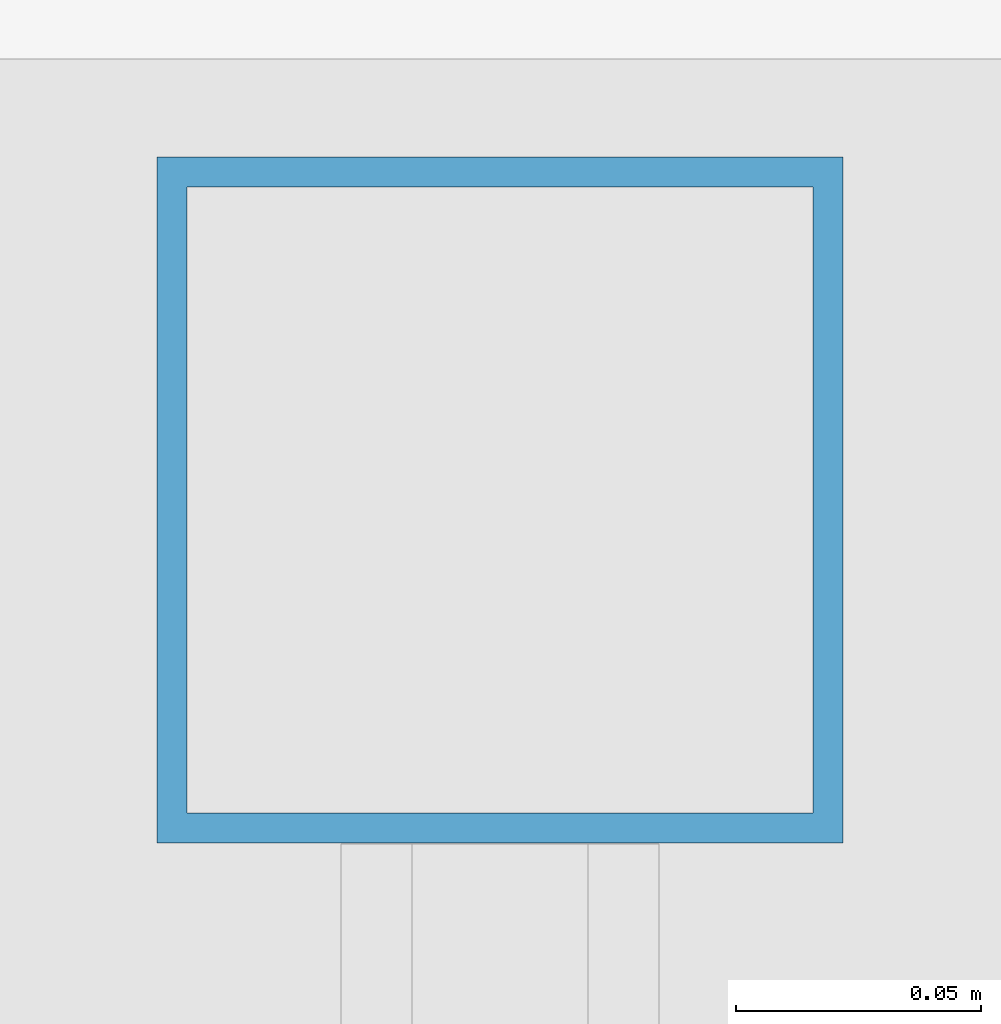
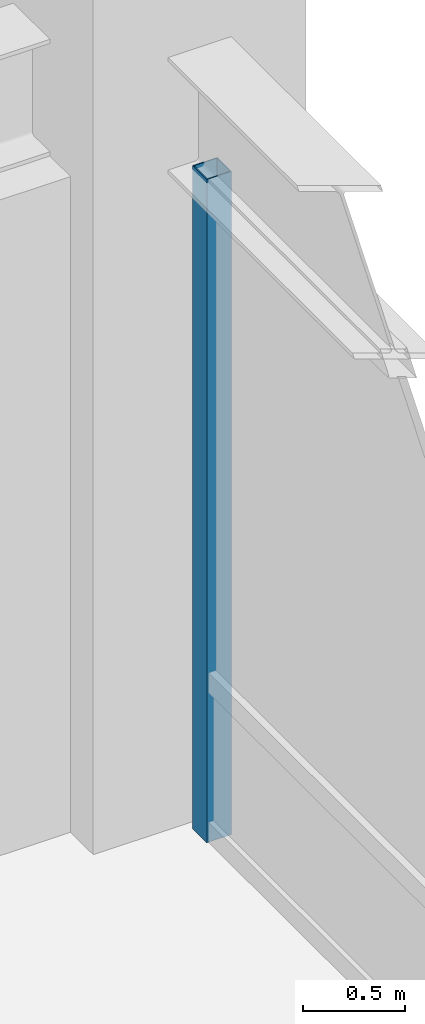
# One storey, part 18 of 34: 1 member, 1 element without a shape of its own.
"""IFC4 building model written with IfcOpenShell, lengths in metres."""

import ifcopenshell
import ifcopenshell.guid

model = None  # the IFC model being written
_history = None  # IfcOwnerHistory: only IFC2X3 demands one
_inside = {}  # id of a spatial element -> (the spatial element, [elements in it])
_under = {}  # id of a project, library or spatial element -> (it, [spatial elements below it])
_declared = {}  # id of a project -> (the project, [libraries it declares])
_typed = {}  # id of a type object -> (the type object, [elements of that type])
_made_of = {}  # id of a material, layer set ... -> (it, [elements and type objects made of it])


def new_model(schema):
    """Start an empty IFC model of exactly this schema.

    Asked for "IFC4X3", IfcOpenShell would pick the latest addendum, in which some entities
    have other attributes; the version numbers below select the first issue.
    IFC2X3 requires an IfcOwnerHistory on every rooted entity: one is made here for all.
    """
    global model, _history
    if schema == "IFC4X3":
        model = ifcopenshell.file(schema_version=(4, 3, 0, 0))
    else:
        model = ifcopenshell.file(schema=schema)
    _inside.clear()
    _under.clear()
    _declared.clear()
    _typed.clear()
    _made_of.clear()
    _history = None
    if model.schema == "IFC2X3":
        org = make("IfcOrganization", Name="unknown")
        user = make(
            "IfcPersonAndOrganization",
            ThePerson=make("IfcPerson", FamilyName="unknown"),
            TheOrganization=org,
        )
        app = make(
            "IfcApplication",
            ApplicationDeveloper=org,
            Version="unknown",
            ApplicationFullName="unknown",
            ApplicationIdentifier="unknown",
        )
        _history = make(
            "IfcOwnerHistory",
            OwningUser=user,
            OwningApplication=app,
            ChangeAction="ADDED",
            CreationDate=0,
        )
    return model


def make(cls, **values):
    """One entity of the class cls with the attributes given. An attribute that is None is left unset."""
    return model.create_entity(
        cls, **{name: value for name, value in values.items() if value is not None}
    )


def rooted(cls, **values):
    """An entity with a GlobalId (a new one), such as an element, a storey or a relation."""
    return make(cls, GlobalId=ifcopenshell.guid.new(), OwnerHistory=_history, **values)


def si_unit(unit_type, name, prefix=None):
    """IfcSIUnit, for example si_unit("LENGTHUNIT", "METRE", prefix="MILLI")."""
    return make("IfcSIUnit", UnitType=unit_type, Prefix=prefix, Name=name)


def assignment(units):
    """IfcUnitAssignment: the units of a project."""
    return None if units is None else make("IfcUnitAssignment", Units=units)


def point(xyz):
    """IfcCartesianPoint."""
    return None if xyz is None else make("IfcCartesianPoint", Coordinates=xyz)


def direction(xyz):
    """IfcDirection."""
    return None if xyz is None else make("IfcDirection", DirectionRatios=xyz)


def frame(location, z_axis=None, x_axis=None):
    """IfcAxis2Placement3D, a coordinate frame: its origin and axes. An axis left out is left unset."""
    return make(
        "IfcAxis2Placement3D",
        Location=point(location),
        Axis=direction(z_axis),
        RefDirection=direction(x_axis),
    )


def frame_2d(location, x_axis=None):
    """IfcAxis2Placement2D, a coordinate frame in the plane: its origin and x axis."""
    return make(
        "IfcAxis2Placement2D", Location=point(location), RefDirection=direction(x_axis)
    )


def origin():
    """The frame at (0, 0, 0) with its axes left unset."""
    return frame((0.0, 0.0, 0.0))


def origin_2d():
    """The frame at (0, 0) in the plane with its x axis left unset."""
    return frame_2d((0.0, 0.0))


def place(relative_to, where):
    """IfcLocalPlacement: puts the frame where relative to a parent placement (None: the world)."""
    return make(
        "IfcLocalPlacement", PlacementRelTo=relative_to, RelativePlacement=where
    )


def context(
    kind, dimensions, precision=None, world=None, true_north=None, identifier=None
):
    """IfcGeometricRepresentationContext, for example the 3D "Model" context."""
    return make(
        "IfcGeometricRepresentationContext",
        ContextIdentifier=identifier,
        ContextType=kind,
        CoordinateSpaceDimension=dimensions,
        Precision=precision,
        WorldCoordinateSystem=world,
        TrueNorth=true_north,
    )


def subcontext(parent, identifier, kind, view, scale=None):
    """IfcGeometricRepresentationSubContext, for example "Body" below "Model"."""
    return make(
        "IfcGeometricRepresentationSubContext",
        ContextIdentifier=identifier,
        ContextType=kind,
        ParentContext=parent,
        TargetScale=scale,
        TargetView=view,
    )


def project(units=None, contexts=None):
    """IfcProject with its units and contexts."""
    return rooted(
        "IfcProject",
        Name="project",
        RepresentationContexts=contexts,
        UnitsInContext=assignment(units),
    )


def spatial(cls, under=None, at=None, **own):
    """A site, building, storey or space (cls), placed at a placement, below another one or the project."""
    s = rooted(cls, ObjectPlacement=at, **own)
    if under is not None:
        _under.setdefault(under.id(), (under, []))[1].append(s)
    return s


def profile(cls, at=None, kind="AREA", **sizes):
    """A parametric profile (cls). Its sizes go by their IFC names, for example OverallWidth=200.0."""
    return make(cls, ProfileType=kind, Position=at, **sizes)


def hollow_rectangle(**sizes):
    """IfcRectangleHollowProfileDef."""
    return profile("IfcRectangleHollowProfileDef", **sizes)


def extrude(swept, where, along, depth):
    """IfcExtrudedAreaSolid: the profile swept, set in the frame where, extruded along a direction by depth."""
    return make(
        "IfcExtrudedAreaSolid",
        SweptArea=swept,
        Position=where,
        ExtrudedDirection=direction(along),
        Depth=depth,
    )


def shape(context_of_items, identifier, shape_type, items):
    """IfcShapeRepresentation: the items that make up one representation, for example the "Body"."""
    return make(
        "IfcShapeRepresentation",
        ContextOfItems=context_of_items,
        RepresentationIdentifier=identifier,
        RepresentationType=shape_type,
        Items=items,
    )


def source(mapping_origin, context_of_items, identifier, shape_type, items):
    """IfcRepresentationMap: a shape defined once, which mapped items show again and again."""
    return make(
        "IfcRepresentationMap",
        MappingOrigin=mapping_origin,
        MappedRepresentation=shape(context_of_items, identifier, shape_type, items),
    )


def transform(
    local_origin,
    x_axis=None,
    y_axis=None,
    z_axis=None,
    scale=None,
    scale2=None,
    scale3=None,
    uniform=True,
):
    """IfcCartesianTransformationOperator3D, or its non-uniform kind. x_axis, y_axis, z_axis: its Axis1, 2, 3."""
    if uniform:
        return make(
            "IfcCartesianTransformationOperator3D",
            Axis1=direction(x_axis),
            Axis2=direction(y_axis),
            LocalOrigin=point(local_origin),
            Scale=scale,
            Axis3=direction(z_axis),
        )
    return make(
        "IfcCartesianTransformationOperator3DnonUniform",
        Axis1=direction(x_axis),
        Axis2=direction(y_axis),
        LocalOrigin=point(local_origin),
        Scale=scale,
        Axis3=direction(z_axis),
        Scale2=scale2,
        Scale3=scale3,
    )


def mapped(mapping_source, mapping_target):
    """IfcMappedItem: shows the shape of a source again, moved by a transform."""
    return make(
        "IfcMappedItem", MappingSource=mapping_source, MappingTarget=mapping_target
    )


def material(Name=None, Category=None):
    """IfcMaterial."""
    return make("IfcMaterial", Name=Name, Category=Category)


def material_profile(
    of_material, cross_section, Name=None, Category=None, Priority=None
):
    """IfcMaterialProfile: a cross section and its material."""
    return make(
        "IfcMaterialProfile",
        Name=Name,
        Material=of_material,
        Profile=cross_section,
        Priority=Priority,
        Category=Category,
    )


def profile_set(profiles, Name=None, composite=None):
    """IfcMaterialProfileSet."""
    return make(
        "IfcMaterialProfileSet",
        Name=Name,
        MaterialProfiles=profiles,
        CompositeProfile=composite,
    )


def made_of(thing, what):
    """Note that an element or type object is made of a material, layer set ...; save() writes the relation."""
    if what is not None:
        _made_of.setdefault(what.id(), (what, []))[1].append(thing)
    return thing


def type_object(cls, material=None, **own):
    """A type object (cls), such as IfcWallType, which elements share."""
    return made_of(rooted(cls, **own), material)


def element(
    cls,
    number,
    at=None,
    inside=None,
    cuts=None,
    type_object=None,
    material=None,
    context=None,
    identifier="Body",
    shape_type=None,
    held_by="IfcProductDefinitionShape",
    body=None,
    shapes=None,
    **own,
):
    """One element of the class cls, such as IfcWall. Its Tag is "e" and its number.

    at: its placement. inside: the storey or other place that contains it. cuts: it is an
    opening in that element (IfcRelVoidsElement). A single representation is given by context,
    identifier, shape_type and body (its items); several are given by shapes. held_by: the class
    of the entity that holds the representations. save() writes the other relations.
    """
    e = rooted(cls, Tag="e%d" % number, ObjectPlacement=at, **own)
    if body is not None:
        shapes = [shape(context, identifier, shape_type, body)]
    if shapes is not None:
        e.Representation = make(held_by, Representations=shapes)
    if inside is not None:
        _inside.setdefault(inside.id(), (inside, []))[1].append(e)
    if cuts is not None:
        rooted(
            "IfcRelVoidsElement", RelatingBuildingElement=cuts, RelatedOpeningElement=e
        )
    if type_object is not None:
        _typed.setdefault(type_object.id(), (type_object, []))[1].append(e)
    return made_of(e, material)


def aggregate(whole, parts):
    """IfcRelAggregates: a whole, such as a stair, and the parts it consists of."""
    return rooted("IfcRelAggregates", RelatingObject=whole, RelatedObjects=parts)


def save(model, path):
    """Write the relations noted so far, then the file.

    IfcRelAggregates (storeys below a building ...), IfcRelContainedInSpatialStructure (elements
    in a storey), IfcRelDefinesByType, IfcRelAssociatesMaterial and IfcRelDeclares: one each for
    every whole, place, type object, material and project.
    """
    for whole, parts in _under.values():
        aggregate(whole, parts)
    for where, things in _inside.values():
        rooted(
            "IfcRelContainedInSpatialStructure",
            RelatedElements=things,
            RelatingStructure=where,
        )
    for kind, things in _typed.values():
        rooted("IfcRelDefinesByType", RelatedObjects=things, RelatingType=kind)
    for what, things in _made_of.values():
        rooted("IfcRelAssociatesMaterial", RelatedObjects=things, RelatingMaterial=what)
    for by, libraries in _declared.values():
        rooted("IfcRelDeclares", RelatingContext=by, RelatedDefinitions=libraries)
    model.write(path)


model = new_model("IFC4")

# Units and contexts
model_context = context("Model", 3, precision=1e-05, world=origin(), true_north=direction((0.0, 1.0)))
body_context = subcontext(model_context, "Body", "Model", "MODEL_VIEW")
ifc_project = project(units=[si_unit("LENGTHUNIT", "METRE"), si_unit("AREAUNIT", "SQUARE_METRE"), si_unit("VOLUMEUNIT", "CUBIC_METRE"), si_unit("PLANEANGLEUNIT", "RADIAN"), si_unit("MASSUNIT", "GRAM", prefix="KILO")], contexts=[model_context])

# Site, building, storey
site_placement = place(None, origin())
site = spatial("IfcSite", under=ifc_project, at=site_placement, CompositionType="ELEMENT")
building_placement = place(site_placement, origin())
building = spatial("IfcBuilding", under=site, at=building_placement, Name="Khorayat Bourse Tower", CompositionType="ELEMENT")
storey_placement = place(building_placement, frame((0.0, 0.0, 144.699951171875)))
storey = spatial("IfcBuildingStorey", under=building, at=storey_placement, Name="L33", CompositionType="ELEMENT", Elevation=144.699951171875)

# Curtain wall, member
ifc_material = material(Name="Aluminium EN AW-6063 T6", Category="aluminium")
curtain_wall_type = type_object("IfcCurtainWallType", Name="CW-SYS-05", PredefinedType="NOTDEFINED", material=ifc_material)
curtain_wall_placement = place(storey_placement, origin())
curtain_wall = element("IfcCurtainWall", 1, at=curtain_wall_placement, inside=storey, type_object=curtain_wall_type, Name="L33 Curtain Wall CW-L33-E1", PredefinedType="NOTDEFINED")
ifc_material_profile = material_profile(ifc_material, hollow_rectangle(XDim=0.139892578125, YDim=0.139892578125, WallThickness=0.006103515625, at=origin_2d()), Name="ALU 140x140x6")
ifc_profile_set = profile_set([ifc_material_profile], Name="Aluminium EN AW-6063 T6")
member_type = type_object("IfcMemberType", Name="CWM-VERT-140", PredefinedType="MULLION", material=ifc_profile_set)
shared_shape = source(origin(), body_context, "Body", "SweptSolid", [
    extrude(hollow_rectangle(XDim=0.139892578125, YDim=0.139892578125, WallThickness=0.006103515625, at=origin_2d()), origin(), (0.0, 0.0, 1.0), 3.949951171875),
])
member_placement = place(storey_placement, frame((32.0, 27.280029296875, 0.0), z_axis=(0.0, 0.0, 1.0), x_axis=(-1.0, 0.0, 0.0)))
member = element("IfcMember", 2, at=member_placement, type_object=member_type, Name="CW-L33-E1 Vertical Mullion 3", PredefinedType="MULLION", context=body_context, shape_type="MappedRepresentation", body=[
    mapped(shared_shape, transform((0.0, 0.0, 0.0), scale=1.0)),
])
aggregate(curtain_wall, [member])

save(model, "model.ifc")
